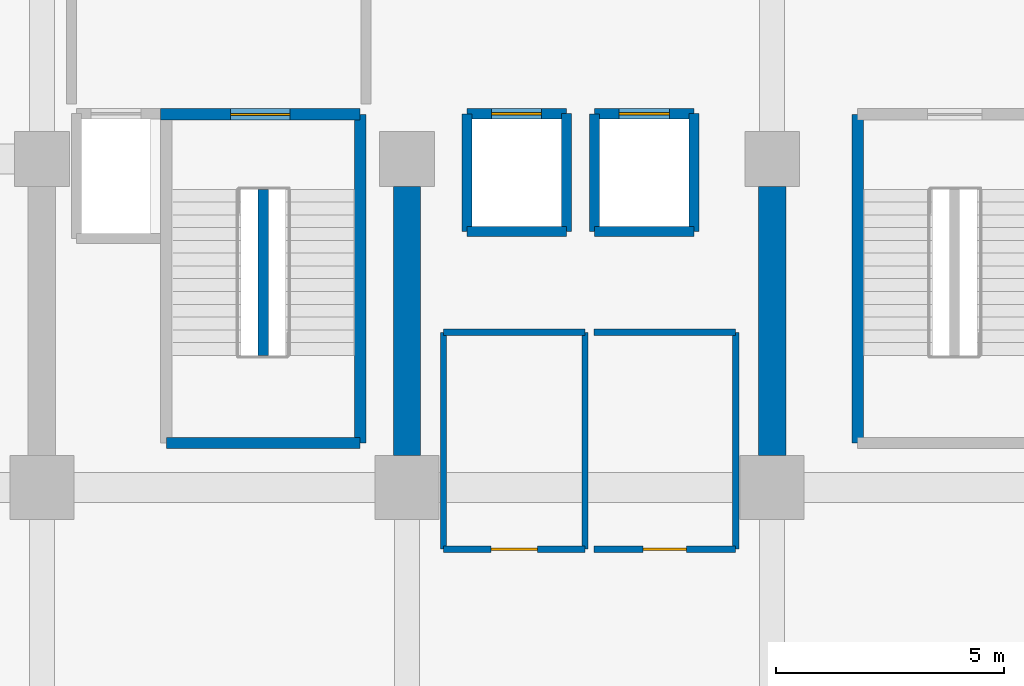
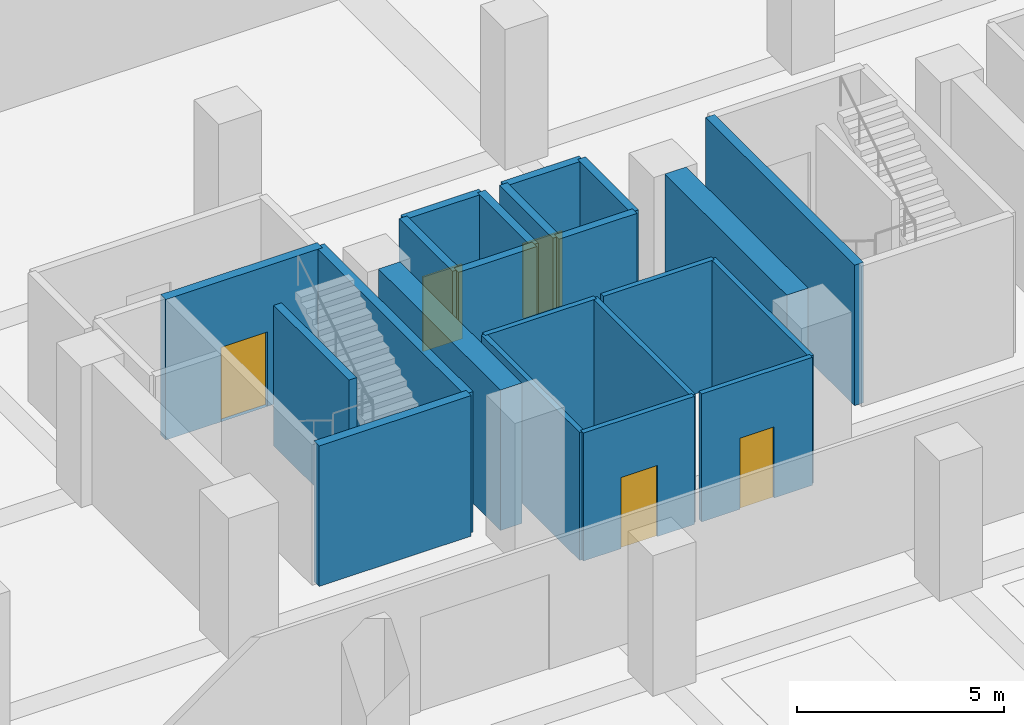
# One storey, part 9 of 25: 22 walls, 5 doors, 5 openings.
"""IFC4 building model written with IfcOpenShell, lengths in metres."""

from ifc_helpers import new_model, si_unit, direction, frame, frame_2d, origin, place, context, subcontext, project, spatial, rectangle, extrude, material, layer, layer_set, type_object, element, fill, save


model = new_model("IFC4")

# Units and contexts
model_context = context("Model", 3, precision=1e-05, world=origin(), true_north=direction((0.0, 1.0)))
body_context = subcontext(model_context, "Body", "Model", "MODEL_VIEW")
ifc_project = project(units=[si_unit("LENGTHUNIT", "METRE"), si_unit("AREAUNIT", "SQUARE_METRE"), si_unit("VOLUMEUNIT", "CUBIC_METRE"), si_unit("PLANEANGLEUNIT", "RADIAN"), si_unit("MASSUNIT", "GRAM", prefix="KILO")], contexts=[model_context])

# Site, building, storey
site_placement = place(None, origin())
site = spatial("IfcSite", under=ifc_project, at=site_placement, CompositionType="ELEMENT")
building_placement = place(site_placement, origin())
building = spatial("IfcBuilding", under=site, at=building_placement, Name="Akrevak Sports Hall", CompositionType="ELEMENT")
storey_placement = place(building_placement, frame((0.0, 0.0, -4.5)))
storey = spatial("IfcBuildingStorey", under=building, at=storey_placement, Name="B01", CompositionType="ELEMENT", Elevation=-4.5)

# Wall, opening, door
ifc_material_1 = material(Name="Moisture-Resistant Wet-Area Partition", Category="gypsum")
ifc_layer_1 = layer(ifc_material_1, 0.139892578125, Name="Moisture-Resistant Wet-Area Partition")
ifc_layer_set_1 = layer_set([ifc_layer_1], Name="Moisture-Resistant Wet-Area Partition")
wall_type_1 = type_object("IfcWallType", Name="ARC-WL-PRT-140", PredefinedType="PARTITIONING", material=ifc_layer_set_1)
wall_1_placement = place(storey_placement, frame((68.800048828125, 53.85009765625, 0.0), z_axis=(0.0, 0.0, 1.0), x_axis=(1.0, 0.0, 0.0)))
wall_1 = element("IfcWall", 1, at=wall_1_placement, inside=storey, type_object=wall_type_1, Name="Interior Partition Accessible WC B01 (S)", PredefinedType="PARTITIONING", context=body_context, shape_type="SweptSolid", body=[
    extrude(rectangle(XDim=3.099853515625, YDim=0.139892578125, at=frame_2d((1.5498046875, 0.0))), origin(), (0.0, 0.0, 1.0), 3.780029296875),
])
opening_1_placement = place(wall_1_placement, frame((1.0400390625, 0.0, 0.0)))
opening_1 = element("IfcOpeningElement", 2, at=opening_1_placement, cuts=wall_1, Name="Opening ID-09", PredefinedType="OPENING", context=body_context, shape_type="SweptSolid", body=[
    extrude(rectangle(XDim=1.02001953125, YDim=2.10009765625, at=frame_2d((0.510009765625, 1.050048828125))), frame((0.0, 0.08203125, 0.0), z_axis=(0.0, -1.0, 0.0), x_axis=(1.0, 0.0, 0.0)), (0.0, 0.0, 1.0), 0.163818359375),
])
ifc_material_2 = material(Name="High-Pressure Laminate & Aluminium", Category="aluminium")
door_type_1 = type_object("IfcDoorType", Name="ARC-DR-AWC-102x210", OperationType="NOTDEFINED", PredefinedType="DOOR", material=ifc_material_2)
door_1_placement = place(opening_1_placement, origin())
door_1 = element("IfcDoor", 3, at=door_1_placement, inside=storey, type_object=door_type_1, Name="Door to Accessible WC B01", OperationType="SINGLE_SWING_LEFT", OverallHeight=2.10009765625, OverallWidth=1.02001953125, PredefinedType="DOOR", context=body_context, shape_type="SweptSolid", body=[
    extrude(rectangle(XDim=1.02001953125, YDim=2.10009765625, at=frame_2d((0.510009765625, 1.050048828125))), frame((0.0, 0.02490234375, 0.0), z_axis=(0.0, -1.0, 0.0), x_axis=(1.0, 0.0, 0.0)), (0.0, 0.0, 1.0), 0.050048828125),
])
fill(opening_1, door_1)

# Walls
wall_2_placement = place(storey_placement, frame((68.800048828125, 58.60009765625, 0.0), z_axis=(0.0, 0.0, 1.0), x_axis=(1.0, 0.0, 0.0)))
element("IfcWall", 4, at=wall_2_placement, inside=storey, type_object=wall_type_1, Name="Interior Partition Accessible WC B01 (N)", PredefinedType="PARTITIONING", context=body_context, shape_type="SweptSolid", body=[
    extrude(rectangle(XDim=3.099853515625, YDim=0.139892578125, at=frame_2d((1.5498046875, 0.0))), origin(), (0.0, 0.0, 1.0), 3.780029296875),
])
for number, where, z_axis, x_axis, name in (
    (5, (68.800048828125, 53.85009765625, 0.0), (0.0, 0.0, 1.0), (0.0, 1.0, 0.0), "Interior Partition Accessible WC B01 (W)"),
    (6, (71.89990234375, 53.85009765625, 0.0), (0.0, 0.0, 1.0), (0.0, 1.0, 0.0), "Interior Partition Accessible WC B01 (E)"),
):
    element("IfcWall", number, at=place(storey_placement, frame(where, z_axis=z_axis, x_axis=x_axis)), inside=storey, type_object=wall_type_1, Name=name, PredefinedType="PARTITIONING", context=body_context, shape_type="SweptSolid", body=[
        extrude(rectangle(XDim=4.75, YDim=0.139892578125, at=frame_2d((2.375, 0.0))), origin(), (0.0, 0.0, 1.0), 3.780029296875),
    ])

# Wall, opening, door
wall_3_placement = place(storey_placement, frame((72.10009765625, 53.85009765625, 0.0), z_axis=(0.0, 0.0, 1.0), x_axis=(1.0, 0.0, 0.0)))
wall_3 = element("IfcWall", 7, at=wall_3_placement, inside=storey, type_object=wall_type_1, Name="Interior Partition Basement Staff WC B01 (S)", PredefinedType="PARTITIONING", context=body_context, shape_type="SweptSolid", body=[
    extrude(rectangle(XDim=3.099853515625, YDim=0.139892578125, at=frame_2d((1.5498046875, 0.0))), origin(), (0.0, 0.0, 1.0), 3.780029296875),
])
opening_2_placement = place(wall_3_placement, frame((1.074951171875, 0.0, 0.0)))
opening_2 = element("IfcOpeningElement", 8, at=opening_2_placement, cuts=wall_3, Name="Opening ID-08", PredefinedType="OPENING", context=body_context, shape_type="SweptSolid", body=[
    extrude(rectangle(XDim=0.949951171875, YDim=2.10009765625, at=frame_2d((0.47509765625, 1.050048828125))), frame((0.0, 0.08203125, 0.0), z_axis=(0.0, -1.0, 0.0), x_axis=(1.0, 0.0, 0.0)), (0.0, 0.0, 1.0), 0.163818359375),
])
door_type_2 = type_object("IfcDoorType", Name="ARC-DR-WC-095x210", OperationType="NOTDEFINED", PredefinedType="DOOR", material=ifc_material_2)
door_2_placement = place(opening_2_placement, frame((0.949951171875, 0.0, 0.0), z_axis=(0.0, 0.0, 1.0), x_axis=(-1.0, 0.0, 0.0)))
door_2 = element("IfcDoor", 9, at=door_2_placement, inside=storey, type_object=door_type_2, Name="Door to Basement Staff WC B01", OperationType="SINGLE_SWING_RIGHT", OverallHeight=2.10009765625, OverallWidth=0.949951171875, PredefinedType="DOOR", context=body_context, shape_type="SweptSolid", body=[
    extrude(rectangle(XDim=0.949951171875, YDim=2.10009765625, at=frame_2d((0.47509765625, 1.050048828125))), frame((0.0, 0.02490234375, 0.0), z_axis=(0.0, -1.0, 0.0), x_axis=(1.0, 0.0, 0.0)), (0.0, 0.0, 1.0), 0.050048828125),
])
fill(opening_2, door_2)

# Walls
wall_4_placement = place(storey_placement, frame((72.10009765625, 58.60009765625, 0.0), z_axis=(0.0, 0.0, 1.0), x_axis=(1.0, 0.0, 0.0)))
element("IfcWall", 10, at=wall_4_placement, inside=storey, type_object=wall_type_1, Name="Interior Partition Basement Staff WC B01 (N)", PredefinedType="PARTITIONING", context=body_context, shape_type="SweptSolid", body=[
    extrude(rectangle(XDim=3.099853515625, YDim=0.139892578125, at=frame_2d((1.5498046875, 0.0))), origin(), (0.0, 0.0, 1.0), 3.780029296875),
])
wall_5_placement = place(storey_placement, frame((75.199951171875, 53.85009765625, 0.0), z_axis=(0.0, 0.0, 1.0), x_axis=(0.0, 1.0, 0.0)))
element("IfcWall", 11, at=wall_5_placement, inside=storey, type_object=wall_type_1, Name="Interior Partition Basement Staff WC B01 (E)", PredefinedType="PARTITIONING", context=body_context, shape_type="SweptSolid", body=[
    extrude(rectangle(XDim=4.75, YDim=0.139892578125, at=frame_2d((2.375, 0.0))), origin(), (0.0, 0.0, 1.0), 3.780029296875),
])
ifc_material_3 = material(Name="Concrete C40/50", Category="concrete")
ifc_layer_2 = layer(ifc_material_3, 0.219970703125, Name="Concrete C40/50")
ifc_layer_set_2 = layer_set([ifc_layer_2], Name="Concrete C40/50")
wall_type_2 = type_object("IfcWallType", Name="ARC-WL-PRT-220", PredefinedType="PARTITIONING", material=ifc_layer_set_2)
wall_6_placement = place(storey_placement, frame((64.85009765625, 58.094970703125, 0.0), z_axis=(0.0, 0.0, 1.0), x_axis=(0.0, 1.0, 0.0)))
element("IfcWall", 12, at=wall_6_placement, inside=storey, type_object=wall_type_2, Name="Stair ST1 Central Spine Wall (B01)", PredefinedType="PARTITIONING", context=body_context, shape_type="SweptSolid", body=[
    extrude(rectangle(XDim=3.64013671875, YDim=0.219970703125, at=frame_2d((1.820068359375, 0.0))), origin(), (0.0, 0.0, 1.0), 4.14990234375),
])
ifc_material_4 = material(Name="Concrete C50/60", Category="concrete")
ifc_layer_3 = layer(ifc_material_4, 0.219970703125, Name="Concrete C50/60")
ifc_layer_set_3 = layer_set([ifc_layer_3], Name="Concrete C50/60")
wall_type_3 = type_object("IfcWallType", Name="ARC-WL-SHAFT-220", PredefinedType="SHEAR", material=ifc_layer_set_3)
wall_7_placement = place(storey_placement, frame((69.31005859375, 60.81005859375, 0.0), z_axis=(0.0, 0.0, 1.0), x_axis=(1.0, 0.0, 0.0)))
element("IfcWall", 13, at=wall_7_placement, inside=storey, type_object=wall_type_3, Name="Lift Shaft LF-P1 Wall S (B01)", PredefinedType="SHEAR", context=body_context, shape_type="SweptSolid", body=[
    extrude(rectangle(XDim=2.179931640625, YDim=0.219970703125, at=frame_2d((1.08984375, 0.0))), origin(), (0.0, 0.0, 1.0), 4.14990234375),
])

# Wall, opening, door
wall_8_placement = place(storey_placement, frame((71.489990234375, 63.389892578125, 0.0), z_axis=(0.0, 0.0, 1.0), x_axis=(-1.0, 0.0, 0.0)))
wall_8 = element("IfcWall", 14, at=wall_8_placement, inside=storey, type_object=wall_type_3, Name="Lift Shaft LF-P1 Wall N (B01)", PredefinedType="SHEAR", context=body_context, shape_type="SweptSolid", body=[
    extrude(rectangle(XDim=2.179931640625, YDim=0.219970703125, at=frame_2d((1.08984375, 0.0))), origin(), (0.0, 0.0, 1.0), 4.14990234375),
])
opening_3_placement = place(wall_8_placement, frame((0.5400390625, 0.0, 0.0)))
opening_3 = element("IfcOpeningElement", 15, at=opening_3_placement, cuts=wall_8, Name="Opening LD-01", PredefinedType="OPENING", context=body_context, shape_type="SweptSolid", body=[
    extrude(rectangle(XDim=1.10009765625, YDim=2.199951171875, at=frame_2d((0.550048828125, 1.10009765625))), frame((0.0, 0.1220703125, 0.0), z_axis=(0.0, -1.0, 0.0), x_axis=(1.0, 0.0, 0.0)), (0.0, 0.0, 1.0), 0.243896484375),
])
ifc_material_5 = material(Name="Brushed Stainless Steel 304", Category="steel")
door_type_3 = type_object("IfcDoorType", Name="ARC-DR-LD-110x220", OperationType="SLIDING_TO_LEFT", PredefinedType="DOOR", material=ifc_material_5)
door_3_placement = place(opening_3_placement, origin())
door_3 = element("IfcDoor", 16, at=door_3_placement, inside=storey, type_object=door_type_3, Name="Lift LF-P1 Sliding Landing Door (B01)", OperationType="SLIDING_TO_RIGHT", OverallHeight=2.199951171875, OverallWidth=1.10009765625, PredefinedType="DOOR", context=body_context, shape_type="SweptSolid", body=[
    extrude(rectangle(XDim=1.10009765625, YDim=2.199951171875, at=frame_2d((0.550048828125, 1.10009765625))), frame((0.0, 0.02490234375, 0.0), z_axis=(0.0, -1.0, 0.0), x_axis=(1.0, 0.0, 0.0)), (0.0, 0.0, 1.0), 0.050048828125),
])
fill(opening_3, door_3)

# Walls
for number, where, z_axis, x_axis, name in (
    (17, (69.31005859375, 63.389892578125, 0.0), (0.0, 0.0, 1.0), (0.0, -1.0, 0.0), "Lift Shaft LF-P1 Wall W (B01)"),
    (18, (71.489990234375, 60.81005859375, 0.0), (0.0, 0.0, 1.0), (0.0, 1.0, 0.0), "Lift Shaft LF-P1 Wall E (B01)"),
):
    element("IfcWall", number, at=place(storey_placement, frame(where, z_axis=z_axis, x_axis=x_axis)), inside=storey, type_object=wall_type_3, Name=name, PredefinedType="SHEAR", context=body_context, shape_type="SweptSolid", body=[
        extrude(rectangle(XDim=2.579833984375, YDim=0.219970703125, at=frame_2d((1.2900390625, 0.0))), origin(), (0.0, 0.0, 1.0), 4.14990234375),
    ])
wall_9_placement = place(storey_placement, frame((72.110107421875, 60.81005859375, 0.0), z_axis=(0.0, 0.0, 1.0), x_axis=(1.0, 0.0, 0.0)))
element("IfcWall", 19, at=wall_9_placement, inside=storey, type_object=wall_type_3, Name="Lift Shaft LF-P2 Wall S (B01)", PredefinedType="SHEAR", context=body_context, shape_type="SweptSolid", body=[
    extrude(rectangle(XDim=2.179931640625, YDim=0.219970703125, at=frame_2d((1.08984375, 0.0))), origin(), (0.0, 0.0, 1.0), 4.14990234375),
])

# Wall, opening, door
wall_10_placement = place(storey_placement, frame((74.2900390625, 63.389892578125, 0.0), z_axis=(0.0, 0.0, 1.0), x_axis=(-1.0, 0.0, 0.0)))
wall_10 = element("IfcWall", 20, at=wall_10_placement, inside=storey, type_object=wall_type_3, Name="Lift Shaft LF-P2 Wall N (B01)", PredefinedType="SHEAR", context=body_context, shape_type="SweptSolid", body=[
    extrude(rectangle(XDim=2.179931640625, YDim=0.219970703125, at=frame_2d((1.08984375, 0.0))), origin(), (0.0, 0.0, 1.0), 4.14990234375),
])
opening_4_placement = place(wall_10_placement, frame((0.5400390625, 0.0, 0.0)))
opening_4 = element("IfcOpeningElement", 21, at=opening_4_placement, cuts=wall_10, Name="Opening LD-01", PredefinedType="OPENING", context=body_context, shape_type="SweptSolid", body=[
    extrude(rectangle(XDim=1.10009765625, YDim=2.199951171875, at=frame_2d((0.550048828125, 1.10009765625))), frame((0.0, 0.1220703125, 0.0), z_axis=(0.0, -1.0, 0.0), x_axis=(1.0, 0.0, 0.0)), (0.0, 0.0, 1.0), 0.243896484375),
])
door_4_placement = place(opening_4_placement, origin())
door_4 = element("IfcDoor", 22, at=door_4_placement, inside=storey, type_object=door_type_3, Name="Lift LF-P2 Sliding Landing Door (B01)", OperationType="SLIDING_TO_RIGHT", OverallHeight=2.199951171875, OverallWidth=1.10009765625, PredefinedType="DOOR", context=body_context, shape_type="SweptSolid", body=[
    extrude(rectangle(XDim=1.10009765625, YDim=2.199951171875, at=frame_2d((0.550048828125, 1.10009765625))), frame((0.0, 0.02490234375, 0.0), z_axis=(0.0, -1.0, 0.0), x_axis=(1.0, 0.0, 0.0)), (0.0, 0.0, 1.0), 0.050048828125),
])
fill(opening_4, door_4)

# Walls
for number, where, z_axis, x_axis, name in (
    (23, (72.110107421875, 63.389892578125, 0.0), (0.0, 0.0, 1.0), (0.0, -1.0, 0.0), "Lift Shaft LF-P2 Wall W (B01)"),
    (24, (74.2900390625, 60.81005859375, 0.0), (0.0, 0.0, 1.0), (0.0, 1.0, 0.0), "Lift Shaft LF-P2 Wall E (B01)"),
):
    element("IfcWall", number, at=place(storey_placement, frame(where, z_axis=z_axis, x_axis=x_axis)), inside=storey, type_object=wall_type_3, Name=name, PredefinedType="SHEAR", context=body_context, shape_type="SweptSolid", body=[
        extrude(rectangle(XDim=2.579833984375, YDim=0.219970703125, at=frame_2d((1.2900390625, 0.0))), origin(), (0.0, 0.0, 1.0), 4.14990234375),
    ])
ifc_layer_4 = layer(ifc_material_4, 0.60009765625, Name="Concrete C50/60")
ifc_layer_set_4 = layer_set([ifc_layer_4], Name="Concrete C50/60")
wall_type_4 = type_object("IfcWallType", Name="STR-WL-CORE-600", PredefinedType="SHEAR", material=ifc_layer_set_4)
for number, where, z_axis, x_axis, name in (
    (25, (68.0, 55.89990234375, 0.0), (0.0, 0.0, 1.0), (0.0, 1.0, 0.0), "Reinforced Concrete Shear Wall SW-C1 (B01)"),
    (26, (76.0, 55.89990234375, 0.0), (0.0, 0.0, 1.0), (0.0, 1.0, 0.0), "Reinforced Concrete Shear Wall SW-W1 (B01)"),
):
    element("IfcWall", number, at=place(storey_placement, frame(where, z_axis=z_axis, x_axis=x_axis)), inside=storey, type_object=wall_type_4, Name=name, PredefinedType="SHEAR", context=body_context, shape_type="SweptSolid", body=[
        extrude(rectangle(XDim=5.900146484375, YDim=0.60009765625, at=frame_2d((2.9501953125, 0.0))), origin(), (0.0, 0.0, 1.0), 4.14990234375),
    ])
ifc_layer_5 = layer(ifc_material_4, 0.25, Name="Concrete C50/60")
ifc_layer_set_5 = layer_set([ifc_layer_5], Name="Concrete C50/60")
wall_type_5 = type_object("IfcWallType", Name="STR-WL-STAIR-250", PredefinedType="SHEAR", material=ifc_layer_set_5)
wall_11_placement = place(storey_placement, frame((62.72509765625, 56.175048828125, 0.0), z_axis=(0.0, 0.0, 1.0), x_axis=(1.0, 0.0, 0.0)))
element("IfcWall", 27, at=wall_11_placement, inside=storey, type_object=wall_type_5, Name="Stair Core ST1 Shear Wall S (B01)", PredefinedType="SHEAR", context=body_context, shape_type="SweptSolid", body=[
    extrude(rectangle(XDim=4.25, YDim=0.25, at=frame_2d((2.125, 0.0))), origin(), (0.0, 0.0, 1.0), 4.14990234375),
])

# Wall, opening, door
wall_12_placement = place(storey_placement, frame((66.97509765625, 63.375, 0.0), z_axis=(0.0, 0.0, 1.0), x_axis=(-1.0, 0.0, 0.0)))
wall_12 = element("IfcWall", 28, at=wall_12_placement, inside=storey, type_object=wall_type_5, Name="Stair Core ST1 Shear Wall N (B01)", PredefinedType="SHEAR", context=body_context, shape_type="SweptSolid", body=[
    extrude(rectangle(XDim=4.375, YDim=0.25, at=frame_2d((2.1875, 0.0))), origin(), (0.0, 0.0, 1.0), 4.14990234375),
])
opening_5_placement = place(wall_12_placement, frame((1.53759765625, 0.0, 0.0)))
opening_5 = element("IfcOpeningElement", 29, at=opening_5_placement, cuts=wall_12, Name="Opening SD-01", PredefinedType="OPENING", context=body_context, shape_type="SweptSolid", body=[
    extrude(rectangle(XDim=1.300048828125, YDim=2.199951171875, at=frame_2d((0.64990234375, 1.10009765625))), frame((0.0, 0.136962890625, 0.0), z_axis=(0.0, -1.0, 0.0), x_axis=(1.0, 0.0, 0.0)), (0.0, 0.0, 1.0), 0.27392578125),
])
ifc_material_6 = material(Name="Fire-Rated Galvanized Door Steel", Category="steel")
door_type_4 = type_object("IfcDoorType", Name="ARC-DR-STAIR-130x220", OperationType="NOTDEFINED", PredefinedType="DOOR", material=ifc_material_6)
door_5_placement = place(opening_5_placement, origin())
door_5 = element("IfcDoor", 30, at=door_5_placement, inside=storey, type_object=door_type_4, Name="Exit Stair ST1 Door (B01)", OperationType="SINGLE_SWING_LEFT", OverallHeight=2.199951171875, OverallWidth=1.300048828125, PredefinedType="DOOR", context=body_context, shape_type="SweptSolid", body=[
    extrude(rectangle(XDim=1.300048828125, YDim=2.199951171875, at=frame_2d((0.64990234375, 1.10009765625))), frame((0.0, 0.02490234375, 0.0), z_axis=(0.0, -1.0, 0.0), x_axis=(1.0, 0.0, 0.0)), (0.0, 0.0, 1.0), 0.050048828125),
])
fill(opening_5, door_5)

# Walls
for number, where, z_axis, x_axis, name in (
    (31, (66.97509765625, 56.175048828125, 0.0), (0.0, 0.0, 1.0), (0.0, 1.0, 0.0), "Stair Core ST1 Shear Wall E (B01)"),
    (32, (77.875, 63.375, 0.0), (0.0, 0.0, 1.0), (0.0, -1.0, 0.0), "Stair Core ST3 Shear Wall W (B01)"),
):
    element("IfcWall", number, at=place(storey_placement, frame(where, z_axis=z_axis, x_axis=x_axis)), inside=storey, type_object=wall_type_5, Name=name, PredefinedType="SHEAR", context=body_context, shape_type="SweptSolid", body=[
        extrude(rectangle(XDim=7.199951171875, YDim=0.25, at=frame_2d((3.60009765625, 0.0))), origin(), (0.0, 0.0, 1.0), 4.14990234375),
    ])

save(model, "model.ifc")
